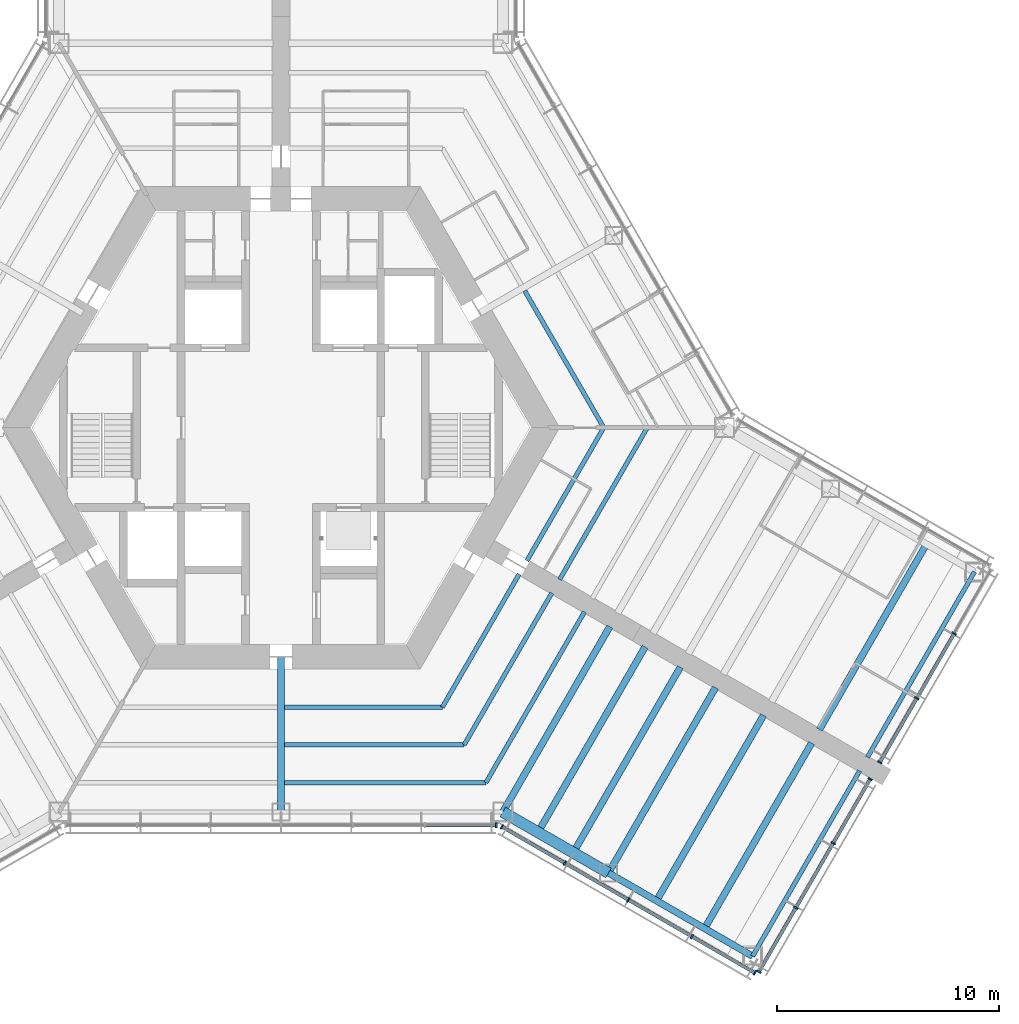
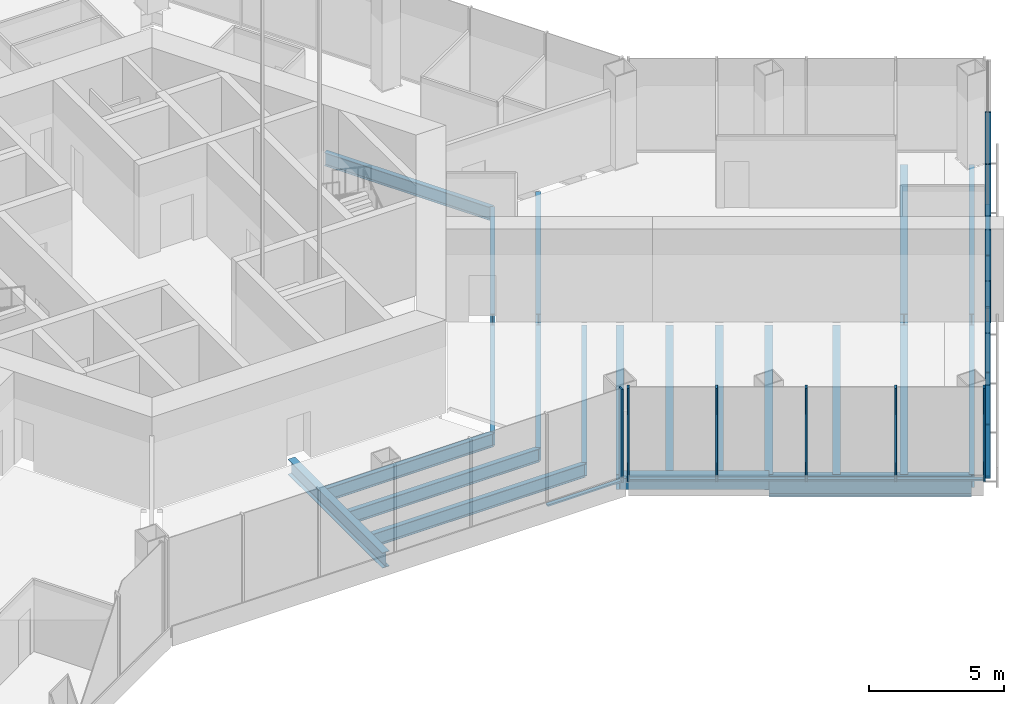
# One storey, part 4 of 18: 23 members, 21 beams, 4 elements without a shape of their own.
"""IFC4 building model written with IfcOpenShell, lengths in metres."""

from ifc_helpers import new_model, si_unit, direction, frame, origin, origin_2d, place, context, subcontext, project, spatial, rectangle, hollow_rectangle, i_section, extrude, material, material_profile, profile_set, type_object, element, aggregate, save


model = new_model("IFC4")

# Units and contexts
model_context = context("Model", 3, precision=1e-05, world=origin(), true_north=direction((0.0, 1.0)))
body_context = subcontext(model_context, "Body", "Model", "MODEL_VIEW")
ifc_project = project(units=[si_unit("LENGTHUNIT", "METRE"), si_unit("AREAUNIT", "SQUARE_METRE"), si_unit("VOLUMEUNIT", "CUBIC_METRE"), si_unit("PLANEANGLEUNIT", "RADIAN"), si_unit("MASSUNIT", "GRAM", prefix="KILO")], contexts=[model_context])

# Site, building, storey
site_placement = place(None, origin())
site = spatial("IfcSite", under=ifc_project, at=site_placement, CompositionType="ELEMENT")
building_placement = place(site_placement, origin())
building = spatial("IfcBuilding", under=site, at=building_placement, Name="Kasaneha Research Tower", CompositionType="ELEMENT")
storey_placement = place(building_placement, frame((0.0, 0.0, 57.0)))
storey = spatial("IfcBuildingStorey", under=building, at=storey_placement, Name="L14", CompositionType="ELEMENT", Elevation=57.0)

# Beams
ifc_material_1 = material(Name="Steel SN490B", Category="steel")
ifc_material_profile_1 = material_profile(ifc_material_1, i_section(OverallWidth=0.199951171875, OverallDepth=0.60009765625, WebThickness=0.010986328125, FlangeThickness=0.01708984375, FilletRadius=0.012939453125, at=origin_2d()), Name="H-600x200x11x17")
ifc_profile_set_1 = profile_set([ifc_material_profile_1], Name="Steel SN490B")
beam_type_1 = type_object("IfcBeamType", Name="B1-4 secondary beam H-600x200x11x17", PredefinedType="JOIST", material=ifc_profile_set_1)
for number, where, z_axis, x_axis, name in (
    (1, (14.54931640625, 0.0, -0.469970703125), (-0.500016104636, 0.866016105569, 0.0), (-0.866016105569, -0.500016104636, 0.0), "Secondary beam RS030L1 L14"),
    (2, (7.274658203125, -12.60009765625, -0.469970703125), (-1.0, 0.0, 0.0), (0.0, -1.0, 0.0), "Secondary beam RS270R1 L14"),
):
    element("IfcBeam", number, at=place(storey_placement, frame(where, z_axis=z_axis, x_axis=x_axis)), inside=storey, type_object=beam_type_1, Name=name, PredefinedType="JOIST", context=body_context, shape_type="SweptSolid", body=[
        extrude(i_section(OverallWidth=0.199951171875, OverallDepth=0.60009765625, WebThickness=0.010986328125, FlangeThickness=0.01708984375, FilletRadius=0.012939453125, at=origin_2d()), origin(), (0.0, 0.0, 1.0), 7.124755859375),
    ])
beam_1_placement = place(storey_placement, frame((8.256103515625, -14.300048828125, -0.469970703125), z_axis=(-1.0, 0.0, 0.0), x_axis=(0.0, -1.0, 0.0)))
element("IfcBeam", 3, at=beam_1_placement, inside=storey, type_object=beam_type_1, Name="Secondary beam RS270R2 L14", PredefinedType="JOIST", context=body_context, shape_type="SweptSolid", body=[
    extrude(i_section(OverallWidth=0.199951171875, OverallDepth=0.60009765625, WebThickness=0.010986328125, FlangeThickness=0.01708984375, FilletRadius=0.012939453125, at=origin_2d()), origin(), (0.0, 0.0, 1.0), 8.106201171875),
])
beam_2_placement = place(storey_placement, frame((9.237548828125, -16.0, -0.469970703125), z_axis=(-1.0, 0.0, 0.0), x_axis=(0.0, -1.0, 0.0)))
element("IfcBeam", 4, at=beam_2_placement, inside=storey, type_object=beam_type_1, Name="Secondary beam RS270R3 L14", PredefinedType="JOIST", context=body_context, shape_type="SweptSolid", body=[
    extrude(i_section(OverallWidth=0.199951171875, OverallDepth=0.60009765625, WebThickness=0.010986328125, FlangeThickness=0.01708984375, FilletRadius=0.012939453125, at=origin_2d()), origin(), (0.0, 0.0, 1.0), 9.087646484375),
])
beam_3_placement = place(storey_placement, frame((7.274658203125, -12.60009765625, -0.469970703125), z_axis=(0.499972710878, 0.866041158593, 0.0), x_axis=(-0.866041158593, 0.499972710878, 0.0)))
element("IfcBeam", 5, at=beam_3_placement, inside=storey, type_object=beam_type_1, Name="Secondary beam RS330L1 L14", PredefinedType="JOIST", context=body_context, shape_type="SweptSolid", body=[
    extrude(i_section(OverallWidth=0.199951171875, OverallDepth=0.60009765625, WebThickness=0.010986328125, FlangeThickness=0.01708984375, FilletRadius=0.012939453125, at=origin_2d()), origin(), (0.0, 0.0, 1.0), 6.9248046875),
])
beam_4_placement = place(storey_placement, frame((8.256103515625, -14.300048828125, -0.469970703125), z_axis=(0.500004902938, 0.866022573054, 0.0), x_axis=(-0.866022573054, 0.500004902938, 0.0)))
element("IfcBeam", 6, at=beam_4_placement, inside=storey, type_object=beam_type_1, Name="Secondary beam RS330L2 L14", PredefinedType="JOIST", context=body_context, shape_type="SweptSolid", body=[
    extrude(i_section(OverallWidth=0.199951171875, OverallDepth=0.60009765625, WebThickness=0.010986328125, FlangeThickness=0.01708984375, FilletRadius=0.012939453125, at=origin_2d()), origin(), (0.0, 0.0, 1.0), 7.90625),
])
beam_5_placement = place(storey_placement, frame((9.237548828125, -16.0, -0.469970703125), z_axis=(0.500009382636, 0.866019986649, 0.0), x_axis=(-0.866019986649, 0.500009382636, 0.0)))
element("IfcBeam", 7, at=beam_5_placement, inside=storey, type_object=beam_type_1, Name="Secondary beam RS330L3 L14", PredefinedType="JOIST", context=body_context, shape_type="SweptSolid", body=[
    extrude(i_section(OverallWidth=0.199951171875, OverallDepth=0.60009765625, WebThickness=0.010986328125, FlangeThickness=0.01708984375, FilletRadius=0.012939453125, at=origin_2d()), origin(), (0.0, 0.0, 1.0), 8.887451171875),
])
beam_6_placement = place(storey_placement, frame((14.54931640625, 0.0, -0.469970703125), z_axis=(-0.500014420154, -0.866017078145, 0.0), x_axis=(0.866017078145, -0.500014420154, 0.0)))
element("IfcBeam", 8, at=beam_6_placement, inside=storey, type_object=beam_type_1, Name="Secondary beam RS330R1 L14", PredefinedType="JOIST", context=body_context, shape_type="SweptSolid", body=[
    extrude(i_section(OverallWidth=0.199951171875, OverallDepth=0.60009765625, WebThickness=0.010986328125, FlangeThickness=0.01708984375, FilletRadius=0.012939453125, at=origin_2d()), origin(), (0.0, 0.0, 1.0), 6.924560546875),
])
beam_7_placement = place(storey_placement, frame((16.51220703125, 0.0, -0.469970703125), z_axis=(-0.500004902938, -0.866022573054, 0.0), x_axis=(0.866022573054, -0.500004902938, 0.0)))
element("IfcBeam", 9, at=beam_7_placement, inside=storey, type_object=beam_type_1, Name="Secondary beam RS330R2 L14", PredefinedType="JOIST", context=body_context, shape_type="SweptSolid", body=[
    extrude(i_section(OverallWidth=0.199951171875, OverallDepth=0.60009765625, WebThickness=0.010986328125, FlangeThickness=0.01708984375, FilletRadius=0.012939453125, at=origin_2d()), origin(), (0.0, 0.0, 1.0), 7.90625),
])
ifc_material_2 = material(Name="Steel SN490B", Category="steel")
ifc_material_profile_2 = material_profile(ifc_material_2, i_section(OverallWidth=0.300048828125, OverallDepth=0.58203125, WebThickness=0.011962890625, FlangeThickness=0.01708984375, FilletRadius=0.012939453125, at=origin_2d()), Name="H-582x300x12x17")
ifc_profile_set_2 = profile_set([ifc_material_profile_2], Name="Steel SN490B")
beam_type_2 = type_object("IfcBeamType", Name="B2-4 secondary beam H-582x300x12x17", PredefinedType="JOIST", material=ifc_profile_set_2)
for number, where, z_axis, x_axis, name in (
    (10, (11.587646484375, -18.237060546875, -0.4609375), (0.50000569793, 0.866022114058, 0.0), (-0.866022114058, 0.50000569793, 0.0), "Secondary beam WBCP1 L14"),
    (11, (13.175537109375, -19.15380859375, -0.4609375), (0.499994742786, 0.866028439017, 0.0), (-0.866028439017, 0.499994742786, 0.0), "Secondary beam WBCP2 L14"),
    (12, (16.92822265625, -21.320556640625, -0.4609375), (0.499994742786, 0.866028439017, 0.0), (-0.866028439017, 0.499994742786, 0.0), "Secondary beam WBCP3 L14"),
    (13, (19.09326171875, -22.570556640625, -0.4609375), (0.499994742786, 0.866028439017, 0.0), (-0.866028439017, 0.499994742786, 0.0), "Secondary beam WBCP4 L14"),
    (14, (29.09326171875, -5.25, -0.4609375), (-0.499994742786, -0.866028439017, 0.0), (0.866028439017, -0.499994742786, 0.0), "Secondary beam WBCN4 L14"),
):
    element("IfcBeam", number, at=place(storey_placement, frame(where, z_axis=z_axis, x_axis=x_axis)), inside=storey, type_object=beam_type_2, Name=name, PredefinedType="JOIST", context=body_context, shape_type="SweptSolid", body=[
        extrude(i_section(OverallWidth=0.300048828125, OverallDepth=0.58203125, WebThickness=0.011962890625, FlangeThickness=0.01708984375, FilletRadius=0.012939453125, at=origin_2d()), origin(), (0.0, 0.0, 1.0), 9.64990234375),
    ])
ifc_material_3 = material(Name="Steel SN490B", Category="steel")
ifc_material_profile_3 = material_profile(ifc_material_3, hollow_rectangle(XDim=0.5, YDim=0.5, WallThickness=0.02197265625, at=origin_2d()), Name="BOX-500x500x22")
ifc_profile_set_3 = profile_set([ifc_material_profile_3], Name="Steel SN490B")
beam_type_3 = type_object("IfcBeamType", Name="BC1-4 belt chord BOX-500x500x22", PredefinedType="BEAM", material=ifc_profile_set_3)
beam_8_placement = place(storey_placement, frame((10.0, -17.320556640625, -0.419921875), z_axis=(0.866027397988, -0.499996545922, 0.0), x_axis=(0.499996545922, 0.866027397988, 0.0)))
element("IfcBeam", 15, at=beam_8_placement, inside=storey, type_object=beam_type_3, Name="Belt chord WSCP1 L14", PredefinedType="BEAM", context=body_context, shape_type="SweptSolid", body=[
    extrude(hollow_rectangle(XDim=0.5, YDim=0.5, WallThickness=0.02197265625, at=origin_2d()), origin(), (0.0, 0.0, 1.0), 5.5),
])

# Curtain wall, member
ifc_material_4 = material(Name="Glass and aluminium", Category="aluminium")
curtain_wall_type = type_object("IfcCurtainWallType", Name="Sky lobby curtain wall", PredefinedType="USERDEFINED", material=ifc_material_4)
curtain_wall_1_placement = place(storey_placement, origin())
curtain_wall_1 = element("IfcCurtainWall", 16, at=curtain_wall_1_placement, inside=storey, type_object=curtain_wall_type, Name="CW-S L14 run 02a", ObjectType="UNITISED CURTAIN WALL", PredefinedType="USERDEFINED")
ifc_material_5 = material(Name="Aluminium 6063-T6", Category="aluminium")
ifc_material_profile_4 = material_profile(ifc_material_5, rectangle(XDim=0.070068359375, YDim=0.219970703125, at=origin_2d()), Name="CW-S mullion 70x220")
ifc_profile_set_4 = profile_set([ifc_material_profile_4], Name="Aluminium 6063-T6")
member_type_1 = type_object("IfcMemberType", Name="CW-S mullion", PredefinedType="MULLION", material=ifc_profile_set_4)
member_1_placement = place(storey_placement, frame((9.704345703125, -17.92041015625, 0.0), z_axis=(0.0, 0.0, 1.0), x_axis=(1.0, 0.0, 0.0)))
member_1 = element("IfcMember", 17, at=member_1_placement, type_object=member_type_1, Name="CW-S mullion 7", PredefinedType="MULLION", context=body_context, shape_type="SweptSolid", body=[
    extrude(rectangle(XDim=0.070068359375, YDim=0.219970703125, at=origin_2d()), origin(), (0.0, 0.0, 1.0), 4.199951171875),
])

# Curtain wall, members
curtain_wall_2_placement = place(storey_placement, origin())
curtain_wall_2 = element("IfcCurtainWall", 18, at=curtain_wall_2_placement, inside=storey, type_object=curtain_wall_type, Name="CW-S L14 run 03a", ObjectType="UNITISED CURTAIN WALL", PredefinedType="USERDEFINED")
member_2_placement = place(storey_placement, frame((9.9560546875, -17.988037109375, 0.0), z_axis=(0.0, 0.0, 1.0), x_axis=(0.866025411464, -0.499999986699, 0.0)))
member_2 = element("IfcMember", 19, at=member_2_placement, type_object=member_type_1, Name="CW-S mullion 1", PredefinedType="MULLION", context=body_context, shape_type="SweptSolid", body=[
    extrude(rectangle(XDim=0.070068359375, YDim=0.219970703125, at=origin_2d()), origin(), (0.0, 0.0, 1.0), 4.199951171875),
])
member_3_placement = place(storey_placement, frame((12.792236328125, -19.62548828125, 0.0), z_axis=(0.0, 0.0, 1.0), x_axis=(0.866025411464, -0.499999986699, 0.0)))
member_3 = element("IfcMember", 20, at=member_3_placement, type_object=member_type_1, Name="CW-S mullion 2", PredefinedType="MULLION", context=body_context, shape_type="SweptSolid", body=[
    extrude(rectangle(XDim=0.070068359375, YDim=0.219970703125, at=origin_2d()), origin(), (0.0, 0.0, 1.0), 4.199951171875),
])
member_4_placement = place(storey_placement, frame((15.65869140625, -21.2802734375, 0.0), z_axis=(0.0, 0.0, 1.0), x_axis=(0.866025411464, -0.499999986699, 0.0)))
member_4 = element("IfcMember", 21, at=member_4_placement, type_object=member_type_1, Name="CW-S mullion 3", PredefinedType="MULLION", context=body_context, shape_type="SweptSolid", body=[
    extrude(rectangle(XDim=0.070068359375, YDim=0.219970703125, at=origin_2d()), origin(), (0.0, 0.0, 1.0), 4.199951171875),
])
member_5_placement = place(storey_placement, frame((18.52490234375, -22.935302734375, 0.0), z_axis=(0.0, 0.0, 1.0), x_axis=(0.866025411464, -0.499999986699, 0.0)))
member_5 = element("IfcMember", 22, at=member_5_placement, type_object=member_type_1, Name="CW-S mullion 4", PredefinedType="MULLION", context=body_context, shape_type="SweptSolid", body=[
    extrude(rectangle(XDim=0.070068359375, YDim=0.219970703125, at=origin_2d()), origin(), (0.0, 0.0, 1.0), 4.199951171875),
])
member_6_placement = place(storey_placement, frame((21.361083984375, -24.572509765625, 0.0), z_axis=(0.0, 0.0, 1.0), x_axis=(0.866025411464, -0.499999986699, 0.0)))
member_6 = element("IfcMember", 23, at=member_6_placement, type_object=member_type_1, Name="CW-S mullion 5", PredefinedType="MULLION", context=body_context, shape_type="SweptSolid", body=[
    extrude(rectangle(XDim=0.070068359375, YDim=0.219970703125, at=origin_2d()), origin(), (0.0, 0.0, 1.0), 4.199951171875),
])

curtain_wall_3_placement = place(storey_placement, origin())
curtain_wall_3 = element("IfcCurtainWall", 24, at=curtain_wall_3_placement, inside=storey, type_object=curtain_wall_type, Name="CW-S L14 run 04a", ObjectType="UNITISED CURTAIN WALL", PredefinedType="USERDEFINED")
member_7_placement = place(storey_placement, frame((21.54541015625, -24.523193359375, 0.0), z_axis=(0.0, 0.0, 1.0), x_axis=(0.500000011442, 0.866025397178, 0.0)))
member_7 = element("IfcMember", 25, at=member_7_placement, type_object=member_type_1, Name="CW-S mullion 1", PredefinedType="MULLION", context=body_context, shape_type="SweptSolid", body=[
    extrude(rectangle(XDim=0.070068359375, YDim=0.219970703125, at=origin_2d()), origin(), (0.0, 0.0, 1.0), 4.199951171875),
])
member_8_placement = place(storey_placement, frame((23.211181640625, -21.637939453125, 0.0), z_axis=(0.0, 0.0, 1.0), x_axis=(0.500000011442, 0.866025397178, 0.0)))
member_8 = element("IfcMember", 26, at=member_8_placement, type_object=member_type_1, Name="CW-S mullion 2", PredefinedType="MULLION", context=body_context, shape_type="SweptSolid", body=[
    extrude(rectangle(XDim=0.070068359375, YDim=0.219970703125, at=origin_2d()), origin(), (0.0, 0.0, 1.0), 4.199951171875),
])
member_9_placement = place(storey_placement, frame((24.89453125, -18.72216796875, 0.0), z_axis=(0.0, 0.0, 1.0), x_axis=(0.500000011442, 0.866025397178, 0.0)))
member_9 = element("IfcMember", 27, at=member_9_placement, type_object=member_type_1, Name="CW-S mullion 3", PredefinedType="MULLION", context=body_context, shape_type="SweptSolid", body=[
    extrude(rectangle(XDim=0.070068359375, YDim=0.219970703125, at=origin_2d()), origin(), (0.0, 0.0, 1.0), 4.199951171875),
])
member_10_placement = place(storey_placement, frame((26.560546875, -15.8369140625, 0.0), z_axis=(0.0, 0.0, 1.0), x_axis=(0.500000011442, 0.866025397178, 0.0)))
member_10 = element("IfcMember", 28, at=member_10_placement, type_object=member_type_1, Name="CW-S mullion 4", PredefinedType="MULLION", context=body_context, shape_type="SweptSolid", body=[
    extrude(rectangle(XDim=0.070068359375, YDim=0.219970703125, at=origin_2d()), origin(), (0.0, 0.0, 1.0), 4.199951171875),
])

curtain_wall_4_placement = place(storey_placement, origin())
curtain_wall_4 = element("IfcCurtainWall", 29, at=curtain_wall_4_placement, inside=storey, type_object=curtain_wall_type, Name="CW-S L14 run 05a", ObjectType="UNITISED CURTAIN WALL", PredefinedType="USERDEFINED")
member_11_placement = place(storey_placement, frame((26.995361328125, -15.08349609375, 0.0), z_axis=(0.0, 0.0, 1.0), x_axis=(0.500000011442, 0.866025397178, 0.0)))
member_11 = element("IfcMember", 30, at=member_11_placement, type_object=member_type_1, Name="CW-S mullion 1", PredefinedType="MULLION", context=body_context, shape_type="SweptSolid", body=[
    extrude(rectangle(XDim=0.070068359375, YDim=0.219970703125, at=origin_2d()), origin(), (0.0, 0.0, 1.0), 4.199951171875),
])
member_12_placement = place(storey_placement, frame((28.661376953125, -12.1982421875, 0.0), z_axis=(0.0, 0.0, 1.0), x_axis=(0.500000011442, 0.866025397178, 0.0)))
member_12 = element("IfcMember", 31, at=member_12_placement, type_object=member_type_1, Name="CW-S mullion 2", PredefinedType="MULLION", context=body_context, shape_type="SweptSolid", body=[
    extrude(rectangle(XDim=0.070068359375, YDim=0.219970703125, at=origin_2d()), origin(), (0.0, 0.0, 1.0), 4.199951171875),
])
member_13_placement = place(storey_placement, frame((30.3447265625, -9.28271484375, 0.0), z_axis=(0.0, 0.0, 1.0), x_axis=(0.500000011442, 0.866025397178, 0.0)))
member_13 = element("IfcMember", 32, at=member_13_placement, type_object=member_type_1, Name="CW-S mullion 3", PredefinedType="MULLION", context=body_context, shape_type="SweptSolid", body=[
    extrude(rectangle(XDim=0.070068359375, YDim=0.219970703125, at=origin_2d()), origin(), (0.0, 0.0, 1.0), 4.199951171875),
])

# Member
ifc_material_6 = material(Name="Aluminium 6063-T6", Category="aluminium")
ifc_material_profile_5 = material_profile(ifc_material_6, rectangle(XDim=0.159912109375, YDim=0.070068359375, at=origin_2d()), Name="CW-S transom 160x70")
ifc_profile_set_5 = profile_set([ifc_material_profile_5], Name="Aluminium 6063-T6")
member_type_2 = type_object("IfcMemberType", Name="CW-S transom", PredefinedType="USERDEFINED", material=ifc_profile_set_5)
member_14_placement = place(storey_placement, frame((6.52783203125, -17.92041015625, 0.034912109375), z_axis=(1.0, 0.0, 0.0), x_axis=(0.0, 1.0, 0.0)))
member_14 = element("IfcMember", 33, at=member_14_placement, type_object=member_type_2, Name="CW-S transom 6", ObjectType="TRANSOM", PredefinedType="USERDEFINED", context=body_context, shape_type="SweptSolid", body=[
    extrude(rectangle(XDim=0.159912109375, YDim=0.070068359375, at=origin_2d()), origin(), (0.0, 0.0, 1.0), 3.141357421875),
])

aggregate(curtain_wall_1, [member_1, member_14])

member_15_placement = place(storey_placement, frame((9.986572265625, -18.005615234375, 0.034912109375), z_axis=(0.866035889079, -0.499981838497, 0.0), x_axis=(0.499981838497, 0.866035889079, 0.0)))
member_15 = element("IfcMember", 34, at=member_15_placement, type_object=member_type_2, Name="CW-S transom 1", ObjectType="TRANSOM", PredefinedType="USERDEFINED", context=body_context, shape_type="SweptSolid", body=[
    extrude(rectangle(XDim=0.159912109375, YDim=0.070068359375, at=origin_2d()), origin(), (0.0, 0.0, 1.0), 3.20458984375),
])

member_16_placement = place(storey_placement, frame((12.822509765625, -19.642822265625, 0.034912109375), z_axis=(0.866022443901, -0.500005126634, 0.0), x_axis=(0.500005126634, 0.866022443901, 0.0)))
member_16 = element("IfcMember", 35, at=member_16_placement, type_object=member_type_2, Name="CW-S transom 2", ObjectType="TRANSOM", PredefinedType="USERDEFINED", context=body_context, shape_type="SweptSolid", body=[
    extrude(rectangle(XDim=0.159912109375, YDim=0.070068359375, at=origin_2d()), origin(), (0.0, 0.0, 1.0), 3.23974609375),
])

member_17_placement = place(storey_placement, frame((15.68896484375, -21.2978515625, 0.034912109375), z_axis=(0.866022443901, -0.500005126634, 0.0), x_axis=(0.500005126634, 0.866022443901, 0.0)))
member_17 = element("IfcMember", 36, at=member_17_placement, type_object=member_type_2, Name="CW-S transom 3", ObjectType="TRANSOM", PredefinedType="USERDEFINED", context=body_context, shape_type="SweptSolid", body=[
    extrude(rectangle(XDim=0.159912109375, YDim=0.070068359375, at=origin_2d()), origin(), (0.0, 0.0, 1.0), 3.23974609375),
])

member_18_placement = place(storey_placement, frame((18.55517578125, -22.95263671875, 0.034912109375), z_axis=(0.866021947353, -0.500005986668, 0.0), x_axis=(0.500005986668, 0.866021947353, 0.0)))
member_18 = element("IfcMember", 37, at=member_18_placement, type_object=member_type_2, Name="CW-S transom 4", ObjectType="TRANSOM", PredefinedType="USERDEFINED", context=body_context, shape_type="SweptSolid", body=[
    extrude(rectangle(XDim=0.159912109375, YDim=0.070068359375, at=origin_2d()), origin(), (0.0, 0.0, 1.0), 3.205078125),
])

aggregate(curtain_wall_2, [member_2, member_3, member_4, member_5, member_6, member_15, member_16, member_17, member_18])

member_19_placement = place(storey_placement, frame((21.56298828125, -24.492919921875, 0.034912109375), z_axis=(0.500003221507, 0.866023543838, 0.0), x_axis=(-0.866023543838, 0.500003221507, 0.0)))
member_19 = element("IfcMember", 38, at=member_19_placement, type_object=member_type_2, Name="CW-S transom 1", ObjectType="TRANSOM", PredefinedType="USERDEFINED", context=body_context, shape_type="SweptSolid", body=[
    extrude(rectangle(XDim=0.159912109375, YDim=0.070068359375, at=origin_2d()), origin(), (0.0, 0.0, 1.0), 3.26171875),
])

member_20_placement = place(storey_placement, frame((23.228759765625, -21.607666015625, 0.034912109375), z_axis=(0.500025879676, 0.866010461631, 0.0), x_axis=(-0.866010461631, 0.500025879676, 0.0)))
member_20 = element("IfcMember", 39, at=member_20_placement, type_object=member_type_2, Name="CW-S transom 2", ObjectType="TRANSOM", PredefinedType="USERDEFINED", context=body_context, shape_type="SweptSolid", body=[
    extrude(rectangle(XDim=0.159912109375, YDim=0.070068359375, at=origin_2d()), origin(), (0.0, 0.0, 1.0), 3.296630859375),
])

member_21_placement = place(storey_placement, frame((24.912109375, -18.69189453125, 0.034912109375), z_axis=(0.500003221507, 0.866023543838, 0.0), x_axis=(-0.866023543838, 0.500003221507, 0.0)))
member_21 = element("IfcMember", 40, at=member_21_placement, type_object=member_type_2, Name="CW-S transom 3", ObjectType="TRANSOM", PredefinedType="USERDEFINED", context=body_context, shape_type="SweptSolid", body=[
    extrude(rectangle(XDim=0.159912109375, YDim=0.070068359375, at=origin_2d()), origin(), (0.0, 0.0, 1.0), 3.26171875),
])

aggregate(curtain_wall_3, [member_7, member_8, member_9, member_10, member_19, member_20, member_21])

member_22_placement = place(storey_placement, frame((27.012939453125, -15.05322265625, 0.034912109375), z_axis=(0.500003221507, 0.866023543838, 0.0), x_axis=(-0.866023543838, 0.500003221507, 0.0)))
member_22 = element("IfcMember", 41, at=member_22_placement, type_object=member_type_2, Name="CW-S transom 1", ObjectType="TRANSOM", PredefinedType="USERDEFINED", context=body_context, shape_type="SweptSolid", body=[
    extrude(rectangle(XDim=0.159912109375, YDim=0.070068359375, at=origin_2d()), origin(), (0.0, 0.0, 1.0), 3.26171875),
])

member_23_placement = place(storey_placement, frame((28.6787109375, -12.16796875, 0.034912109375), z_axis=(0.500025879676, 0.866010461631, 0.0), x_axis=(-0.866010461631, 0.500025879676, 0.0)))
member_23 = element("IfcMember", 42, at=member_23_placement, type_object=member_type_2, Name="CW-S transom 2", ObjectType="TRANSOM", PredefinedType="USERDEFINED", context=body_context, shape_type="SweptSolid", body=[
    extrude(rectangle(XDim=0.159912109375, YDim=0.070068359375, at=origin_2d()), origin(), (0.0, 0.0, 1.0), 3.296630859375),
])

aggregate(curtain_wall_4, [member_11, member_12, member_13, member_22, member_23])

# Beams
ifc_material_7 = material(Name="Steel SN490B", Category="steel")
ifc_material_profile_6 = material_profile(ifc_material_7, i_section(OverallWidth=0.300048828125, OverallDepth=0.69189453125, WebThickness=0.012939453125, FlangeThickness=0.02001953125, FilletRadius=0.01806640625, at=origin_2d()), Name="H-692x300x13x20")
ifc_profile_set_6 = profile_set([ifc_material_profile_6], Name="Steel SN490B")
beam_type_4 = type_object("IfcBeamType", Name="G2-4 radial girder H-692x300x13x20", PredefinedType="BEAM", material=ifc_profile_set_6)
beam_9_placement = place(storey_placement, frame((0.0, -10.324951171875, -0.51611328125), z_axis=(0.0, -1.0, 0.0), x_axis=(1.0, 0.0, 0.0)))
element("IfcBeam", 43, at=beam_9_placement, inside=storey, type_object=beam_type_4, Name="Radial girder RM270 L14", PredefinedType="BEAM", context=body_context, shape_type="SweptSolid", body=[
    extrude(i_section(OverallWidth=0.300048828125, OverallDepth=0.69189453125, WebThickness=0.012939453125, FlangeThickness=0.02001953125, FilletRadius=0.01806640625, at=origin_2d()), origin(), (0.0, 0.0, 1.0), 6.99560546875),
])
ifc_material_8 = material(Name="Steel SN490B", Category="steel")
ifc_material_profile_7 = material_profile(ifc_material_8, i_section(OverallWidth=0.300048828125, OverallDepth=0.69189453125, WebThickness=0.012939453125, FlangeThickness=0.02001953125, FilletRadius=0.01806640625, at=origin_2d()), Name="H-692x300x13x20")
ifc_profile_set_7 = profile_set([ifc_material_profile_7], Name="Steel SN490B")
beam_type_5 = type_object("IfcBeamType", Name="G3-4 plate edge girder H-692x300x13x20", PredefinedType="BEAM", material=ifc_profile_set_7)
beam_10_placement = place(storey_placement, frame((10.0, -17.320556640625, -0.51611328125), z_axis=(0.499994742786, 0.866028439017, 0.0), x_axis=(-0.866028439017, 0.499994742786, 0.0)))
element("IfcBeam", 44, at=beam_10_placement, inside=storey, type_object=beam_type_5, Name="Plate edge girder PECP L14", PredefinedType="BEAM", context=body_context, shape_type="SweptSolid", body=[
    extrude(i_section(OverallWidth=0.300048828125, OverallDepth=0.69189453125, WebThickness=0.012939453125, FlangeThickness=0.02001953125, FilletRadius=0.01806640625, at=origin_2d()), origin(), (0.0, 0.0, 1.0), 9.64990234375),
])
ifc_material_9 = material(Name="Steel SN490B", Category="steel")
ifc_material_profile_8 = material_profile(ifc_material_9, i_section(OverallWidth=0.300048828125, OverallDepth=0.699951171875, WebThickness=0.012939453125, FlangeThickness=0.02392578125, FilletRadius=0.01806640625, at=origin_2d()), Name="H-700x300x13x24")
ifc_profile_set_8 = profile_set([ifc_material_profile_8], Name="Steel SN490B")
beam_type_6 = type_object("IfcBeamType", Name="G4-4 wing girder H-700x300x13x24", PredefinedType="BEAM", material=ifc_profile_set_8)
beam_11_placement = place(storey_placement, frame((14.76318359375, -20.070556640625, -0.52001953125), z_axis=(0.499994742786, 0.866028439017, 0.0), x_axis=(-0.866028439017, 0.499994742786, 0.0)))
element("IfcBeam", 45, at=beam_11_placement, inside=storey, type_object=beam_type_6, Name="Wing girder WGCP L14", PredefinedType="BEAM", context=body_context, shape_type="SweptSolid", body=[
    extrude(i_section(OverallWidth=0.300048828125, OverallDepth=0.699951171875, WebThickness=0.012939453125, FlangeThickness=0.02392578125, FilletRadius=0.01806640625, at=origin_2d()), origin(), (0.0, 0.0, 1.0), 9.64990234375),
])
ifc_material_10 = material(Name="Steel SN490B", Category="steel")
ifc_material_profile_9 = material_profile(ifc_material_10, i_section(OverallWidth=0.300048828125, OverallDepth=0.89990234375, WebThickness=0.01611328125, FlangeThickness=0.028076171875, FilletRadius=0.01806640625, at=origin_2d()), Name="H-900x300x16x28")
ifc_profile_set_9 = profile_set([ifc_material_profile_9], Name="Steel SN490B")
beam_type_7 = type_object("IfcBeamType", Name="SB2-4 spandrel beam H-900x300x16x28", PredefinedType="SPANDREL", material=ifc_profile_set_9)
beam_12_placement = place(storey_placement, frame((14.76318359375, -20.070556640625, -0.6201171875), z_axis=(0.866022959057, -0.500004234368, 0.0), x_axis=(0.500004234368, 0.866022959057, 0.0)))
element("IfcBeam", 46, at=beam_12_placement, inside=storey, type_object=beam_type_7, Name="Spandrel beam WSCP2 L14", PredefinedType="SPANDREL", context=body_context, shape_type="SweptSolid", body=[
    extrude(i_section(OverallWidth=0.300048828125, OverallDepth=0.89990234375, WebThickness=0.01611328125, FlangeThickness=0.028076171875, FilletRadius=0.01806640625, at=origin_2d()), origin(), (0.0, 0.0, 1.0), 7.5),
])
ifc_material_11 = material(Name="Steel SN490B", Category="steel")
ifc_material_profile_10 = material_profile(ifc_material_11, i_section(OverallWidth=0.199951171875, OverallDepth=0.60009765625, WebThickness=0.010986328125, FlangeThickness=0.01708984375, FilletRadius=0.012939453125, at=origin_2d()), Name="H-600x200x11x17")
ifc_profile_set_10 = profile_set([ifc_material_profile_10], Name="Steel SN490B")
beam_type_8 = type_object("IfcBeamType", Name="SB3-4 spandrel beam H-600x200x11x17", PredefinedType="SPANDREL", material=ifc_profile_set_10)
for number, where, z_axis, x_axis, name in (
    (47, (21.25830078125, -23.820556640625, -0.469970703125), (0.499994742786, 0.866028439017, 0.0), (-0.866028439017, 0.499994742786, 0.0), "Spandrel beam WTCP L14"),
    (48, (31.25830078125, -6.5, -0.469970703125), (-0.499994742786, -0.866028439017, 0.0), (0.866028439017, -0.499994742786, 0.0), "Spandrel beam WTCN L14"),
):
    element("IfcBeam", number, at=place(storey_placement, frame(where, z_axis=z_axis, x_axis=x_axis)), inside=storey, type_object=beam_type_8, Name=name, PredefinedType="SPANDREL", context=body_context, shape_type="SweptSolid", body=[
        extrude(i_section(OverallWidth=0.199951171875, OverallDepth=0.60009765625, WebThickness=0.010986328125, FlangeThickness=0.01708984375, FilletRadius=0.012939453125, at=origin_2d()), origin(), (0.0, 0.0, 1.0), 9.64990234375),
    ])

save(model, "model.ifc")
